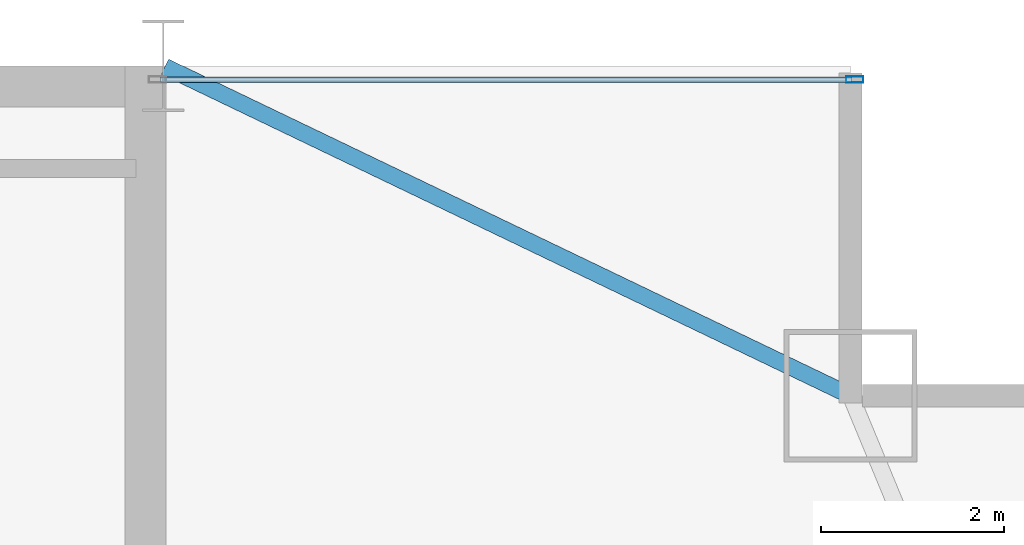
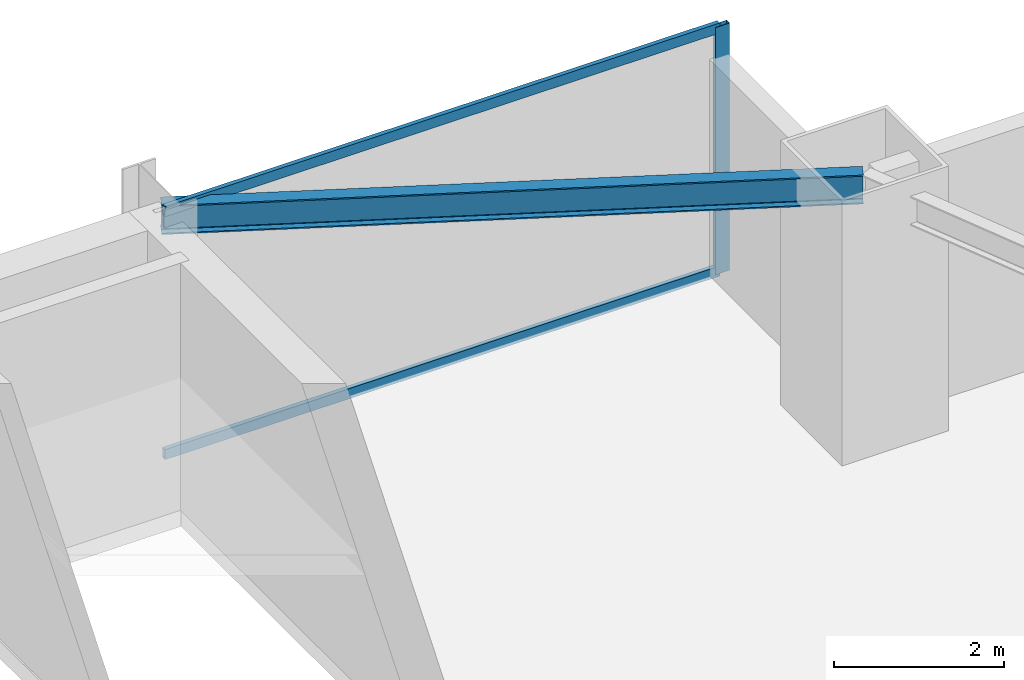
# One storey, part 25 of 30: 3 members, 1 beam, 1 element without a shape of its own.
"""IFC4 building model written with IfcOpenShell, lengths in metres."""

from ifc_helpers import new_model, si_unit, direction, frame, origin, origin_2d, place, context, subcontext, project, spatial, hollow_rectangle, i_section, extrude, source, transform, mapped, material, layer, layer_set, material_profile, profile_set, type_object, type_shapes, element, aggregate, save


model = new_model("IFC4")

# Units and contexts
model_context = context("Model", 3, precision=1e-05, world=origin(), true_north=direction((0.0, 1.0)))
body_context = subcontext(model_context, "Body", "Model", "MODEL_VIEW")
ifc_project = project(units=[si_unit("LENGTHUNIT", "METRE"), si_unit("AREAUNIT", "SQUARE_METRE"), si_unit("VOLUMEUNIT", "CUBIC_METRE"), si_unit("PLANEANGLEUNIT", "RADIAN"), si_unit("MASSUNIT", "GRAM", prefix="KILO")], contexts=[model_context])

# Site, building, storey
site_placement = place(None, origin())
site = spatial("IfcSite", under=ifc_project, at=site_placement, CompositionType="ELEMENT")
building_placement = place(site_placement, origin())
building = spatial("IfcBuilding", under=site, at=building_placement, Name="Varnel Quay Broadcast Tower", CompositionType="ELEMENT")
storey_placement = place(building_placement, frame((0.0, 0.0, 122.0)))
storey = spatial("IfcBuildingStorey", under=building, at=storey_placement, Name="L29", CompositionType="ELEMENT", Elevation=122.0)

# Beam
ifc_material_1 = material(Name="Structural Steel CSA G40.21 350W", Category="steel")
ifc_material_profile_1 = material_profile(ifc_material_1, i_section(OverallWidth=0.180908203125, OverallDepth=0.4169921875, WebThickness=0.010986328125, FlangeThickness=0.018310546875, FilletRadius=0.011962890625, at=origin_2d()), Name="W410X85")
ifc_profile_set_1 = profile_set([ifc_material_profile_1], Name="Structural Steel CSA G40.21 350W")
beam_type = type_object("IfcBeamType", Name="Beam_W410X85", PredefinedType="SPANDREL", material=ifc_profile_set_1)
shared_shape_1 = source(origin(), body_context, "Body", "SweptSolid", [
    extrude(i_section(OverallWidth=0.180908203125, OverallDepth=0.4169921875, WebThickness=0.010986328125, FlangeThickness=0.018310546875, FilletRadius=0.011962890625, at=origin_2d()), origin(), (0.0, 0.0, 1.0), 8.279296875),
])
type_shapes(beam_type, [shared_shape_1])
beam_placement = place(storey_placement, frame((52.41796875, 46.791259765625, 3.341552734375), z_axis=(0.901535021024, -0.432706142626, 0.0), x_axis=(0.432706142626, 0.901535021024, 0.0)))
element("IfcBeam", 1, at=beam_placement, inside=storey, type_object=beam_type, Name="L29 NE Tie Spandrel", PredefinedType="SPANDREL", context=body_context, shape_type="MappedRepresentation", body=[
    mapped(shared_shape_1, transform((0.0, 0.0, 0.0), x_axis=(1.0, 0.0, 0.0), y_axis=(0.0, 1.0, 0.0), z_axis=(0.0, 0.0, 1.0), scale=1.0)),
])

# Curtain wall, members
ifc_material_2 = material(Name="Anodised Bronze Aluminium 6063-T6", Category="aluminium")
ifc_layer = layer(ifc_material_2, 0.18994140625, Name="Anodised Bronze Aluminium 6063-T6")
ifc_layer_set = layer_set([ifc_layer], Name="Anodised Bronze Aluminium 6063-T6")
curtain_wall_type = type_object("IfcCurtainWallType", Name="CW_LowerTower", PredefinedType="NOTDEFINED", material=ifc_layer_set)
curtain_wall_placement = place(storey_placement, origin())
curtain_wall = element("IfcCurtainWall", 2, at=curtain_wall_placement, inside=storey, type_object=curtain_wall_type, Name="L29 NE Wing Curtain Wall", PredefinedType="NOTDEFINED")
ifc_material_profile_2 = material_profile(ifc_material_2, hollow_rectangle(XDim=0.070068359375, YDim=0.18994140625, WallThickness=0.00390625, at=origin_2d()), Name="ALU70X190X4")
ifc_profile_set_2 = profile_set([ifc_material_profile_2], Name="Anodised Bronze Aluminium 6063-T6")
member_type_1 = type_object("IfcMemberType", Name="Mull_CWS-02", PredefinedType="MULLION", material=ifc_profile_set_2)
shared_shape_2 = source(origin(), body_context, "Body", "SweptSolid", [
    extrude(hollow_rectangle(XDim=0.070068359375, YDim=0.18994140625, WallThickness=0.00390625, at=origin_2d()), origin(), (0.0, 0.0, 1.0), 3.550048828125),
])
type_shapes(member_type_1, [shared_shape_2])
member_1_placement = place(storey_placement, frame((59.945068359375, 46.64990234375, 0.0), z_axis=(0.0, 0.0, 1.0), x_axis=(0.0, 1.0, 0.0)))
member_1 = element("IfcMember", 3, at=member_1_placement, type_object=member_type_1, Name="CWS-02 mullion 2", PredefinedType="MULLION", context=body_context, shape_type="MappedRepresentation", body=[
    mapped(shared_shape_2, transform((0.0, 0.0, 0.0), x_axis=(1.0, 0.0, 0.0), y_axis=(0.0, 1.0, 0.0), z_axis=(0.0, 0.0, 1.0), scale=1.0)),
])
ifc_material_profile_3 = material_profile(ifc_material_2, hollow_rectangle(XDim=0.06005859375, YDim=0.14501953125, WallThickness=0.00341796875, at=origin_2d()), Name="ALU60X145X3.5")
ifc_profile_set_3 = profile_set([ifc_material_profile_3], Name="Anodised Bronze Aluminium 6063-T6")
member_type_2 = type_object("IfcMemberType", Name="Tran_CWS-02", PredefinedType="USERDEFINED", material=ifc_profile_set_3)
shared_shape_3 = source(origin(), body_context, "Body", "SweptSolid", [
    extrude(hollow_rectangle(XDim=0.06005859375, YDim=0.14501953125, WallThickness=0.00341796875, at=origin_2d()), origin(), (0.0, 0.0, 1.0), 7.539794921875),
])
type_shapes(member_type_2, [shared_shape_3])
member_2_placement = place(storey_placement, frame((52.3701171875, 46.64990234375, 0.030029296875), z_axis=(1.0, 0.0, 0.0), x_axis=(0.0, 1.0, 0.0)))
member_2 = element("IfcMember", 4, at=member_2_placement, type_object=member_type_2, Name="CWS-02 transom 1.1", ObjectType="TRANSOM", PredefinedType="USERDEFINED", context=body_context, shape_type="MappedRepresentation", body=[
    mapped(shared_shape_3, transform((0.0, 0.0, 0.0), x_axis=(1.0, 0.0, 0.0), y_axis=(0.0, 1.0, 0.0), z_axis=(0.0, 0.0, 1.0), scale=1.0)),
])
member_3_placement = place(storey_placement, frame((52.3701171875, 46.64990234375, 3.52001953125), z_axis=(1.0, 0.0, 0.0), x_axis=(0.0, 1.0, 0.0)))
member_3 = element("IfcMember", 5, at=member_3_placement, type_object=member_type_2, Name="CWS-02 transom 1.2", ObjectType="TRANSOM", PredefinedType="USERDEFINED", context=body_context, shape_type="MappedRepresentation", body=[
    mapped(shared_shape_3, transform((0.0, 0.0, 0.0), x_axis=(1.0, 0.0, 0.0), y_axis=(0.0, 1.0, 0.0), z_axis=(0.0, 0.0, 1.0), scale=1.0)),
])
aggregate(curtain_wall, [member_1, member_2, member_3])

save(model, "model.ifc")
